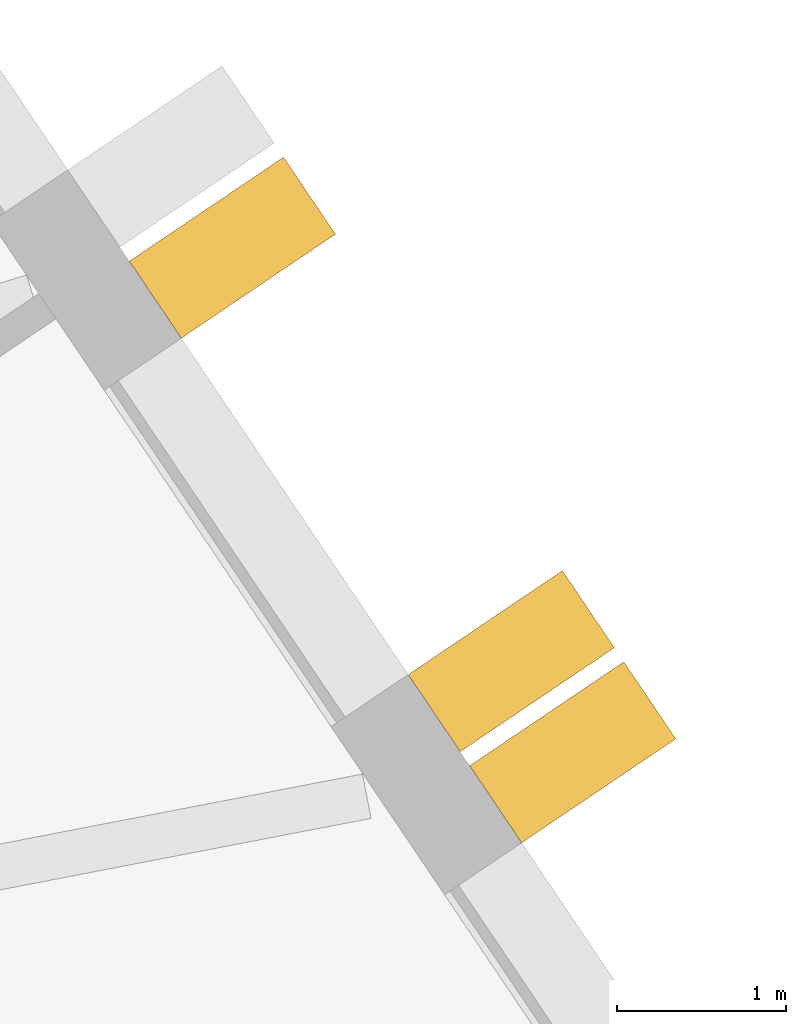
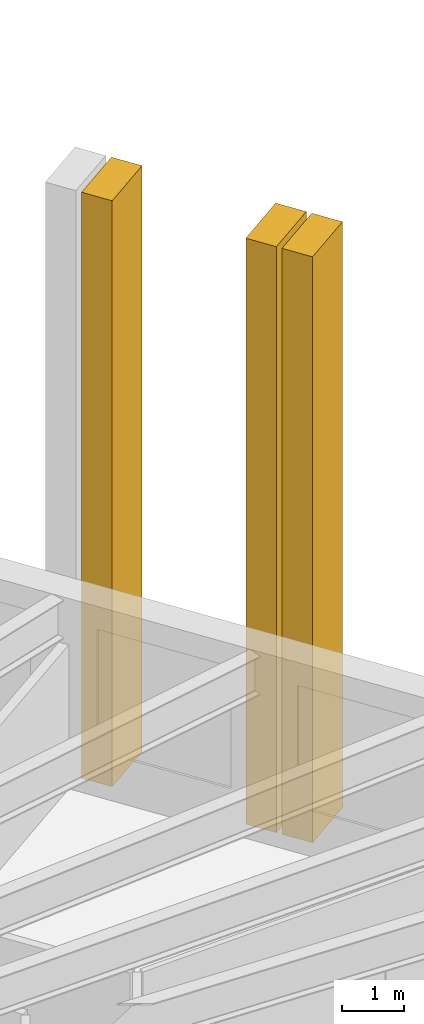
# One storey, part 13 of 13: 3 shading devices.
"""IFC4 building model written with IfcOpenShell, lengths in metres."""

from ifc_helpers import new_model, si_unit, direction, frame, origin, place, context, subcontext, project, spatial, polyline, outline, extrude, material, layer, layer_set, type_object, element, save


model = new_model("IFC4")

# Units and contexts
model_context = context("Model", 3, precision=1e-05, world=origin(), true_north=direction((0.0, 1.0)))
body_context = subcontext(model_context, "Body", "Model", "MODEL_VIEW")
ifc_project = project(units=[si_unit("LENGTHUNIT", "METRE"), si_unit("AREAUNIT", "SQUARE_METRE"), si_unit("VOLUMEUNIT", "CUBIC_METRE"), si_unit("PLANEANGLEUNIT", "RADIAN"), si_unit("MASSUNIT", "GRAM", prefix="KILO")], contexts=[model_context])

# Site, building, storey
site_placement = place(None, origin())
site = spatial("IfcSite", under=ifc_project, at=site_placement, CompositionType="ELEMENT")
building_placement = place(site_placement, origin())
building = spatial("IfcBuilding", under=site, at=building_placement, Name="Tarnside Tower", CompositionType="ELEMENT")
storey_placement = place(building_placement, frame((0.0, 0.0, 135.0)))
storey = spatial("IfcBuildingStorey", under=building, at=storey_placement, Name="L31", CompositionType="ELEMENT", Elevation=135.0)

# Shading devices
ifc_material = material(Name="Concrete C50/60 white precast", Category="concrete")
ifc_layer = layer(ifc_material, 0.550048828125)
ifc_layer_set = layer_set([ifc_layer], Name="Precast fin 550 x 1100")
shading_device_type = type_object("IfcShadingDeviceType", Name="Precast fin 550 x 1100", PredefinedType="USERDEFINED", material=ifc_layer_set)
for number, where, z_axis, x_axis, name in (
    (1, (31.769287109375, 6.548583984375, -0.14990234375), (0.559192903471, -0.829037572555, 0.0), (0.829037572555, 0.559192903471, 0.0), "Precast fin"),
    (2, (31.406005859375, 7.087646484375, -0.14990234375), (0.559192903471, -0.829037572555, 0.0), (0.829037572555, 0.559192903471, 0.0), "Precast fin"),
    (3, (29.75634765625, 9.533203125, -0.14990234375), (0.559192903471, -0.829037572555, 0.0), (0.829037572555, 0.559192903471, 0.0), "Precast fin"),
):
    element("IfcShadingDevice", number, at=place(storey_placement, frame(where, z_axis=z_axis, x_axis=x_axis)), inside=storey, type_object=shading_device_type, Name=name, ObjectType="FIN", PredefinedType="USERDEFINED", context=body_context, shape_type="SweptSolid", body=[
        extrude(outline(polyline([(0.0, 0.0), (1.10009765625, 0.0), (1.10009765625, 11.5498046875), (0.0, 11.5498046875), (0.0, 0.0)])), frame((0.0, 0.0, -0.27490234375)), (0.0, 0.0, 1.0), 0.550048828125),
    ])

save(model, "model.ifc")
